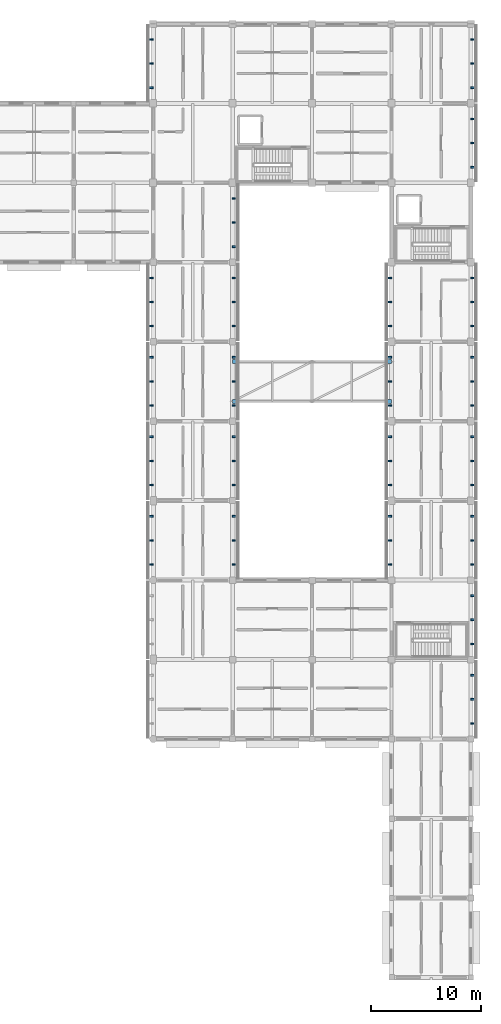
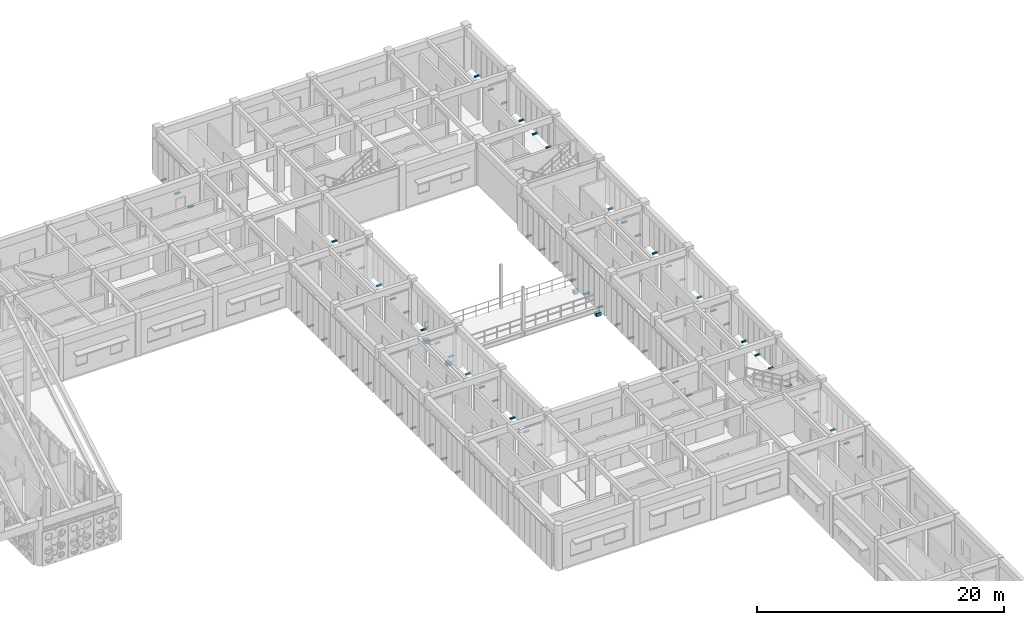
# One storey, part 146 of 171: 70 discrete accessories.
"""IFC4 building model written with IfcOpenShell, lengths in metres."""

from ifc_helpers import new_model, si_unit, direction, frame, origin, origin_2d, place, context, subcontext, project, spatial, rectangle, extrude, material, type_object, element, save


model = new_model("IFC4")

# Units and contexts
model_context = context("Model", 3, precision=1e-05, world=origin(), true_north=direction((0.0, 1.0)))
body_context = subcontext(model_context, "Body", "Model", "MODEL_VIEW")
ifc_project = project(units=[si_unit("LENGTHUNIT", "METRE"), si_unit("AREAUNIT", "SQUARE_METRE"), si_unit("VOLUMEUNIT", "CUBIC_METRE"), si_unit("PLANEANGLEUNIT", "RADIAN"), si_unit("MASSUNIT", "GRAM", prefix="KILO")], contexts=[model_context])

# Site, building, storey
site_placement = place(None, origin())
site = spatial("IfcSite", under=ifc_project, at=site_placement, CompositionType="ELEMENT")
building_placement = place(site_placement, origin())
building = spatial("IfcBuilding", under=site, at=building_placement, Name="Aldebral Square Health Centre", CompositionType="ELEMENT")
storey_placement = place(building_placement, frame((0.0, 0.0, 4.5)))
storey = spatial("IfcBuildingStorey", under=building, at=storey_placement, Name="L01", CompositionType="ELEMENT", Elevation=4.5)

# Discrete accessories
ifc_material_1 = material(Name="Steel S355JR", Category="steel")
discrete_accessory_type_1 = type_object("IfcDiscreteAccessoryType", Name="ACC-BRK-1", PredefinedType="BRACKET", material=ifc_material_1)
for number, where, z_axis, x_axis, name in (
    (1, (136.570068359375, 70.583984375, -0.009765625), (0.0, 0.0, 1.0), (0.0, 1.0, 0.0), "L01 finned curtain-wall bracket L01-V5-19-09-W.1"),
    (2, (136.570068359375, 68.39990234375, -0.009765625), (0.0, 0.0, 1.0), (0.0, 1.0, 0.0), "L01 finned curtain-wall bracket L01-V5-19-09-W.2"),
    (3, (136.570068359375, 66.216064453125, -0.009765625), (0.0, 0.0, 1.0), (0.0, 1.0, 0.0), "L01 finned curtain-wall bracket L01-V5-19-09-W.3"),
    (4, (144.22998046875, 66.216064453125, -0.009765625), (0.0, 0.0, 1.0), (0.0, 1.0, 0.0), "L01 finned curtain-wall bracket L01-V5-19-09-E.1"),
    (5, (144.22998046875, 68.39990234375, -0.009765625), (0.0, 0.0, 1.0), (0.0, 1.0, 0.0), "L01 finned curtain-wall bracket L01-V5-19-09-E.2"),
    (6, (144.22998046875, 70.583984375, -0.009765625), (0.0, 0.0, 1.0), (0.0, 1.0, 0.0), "L01 finned curtain-wall bracket L01-V5-19-09-E.3"),
    (7, (136.570068359375, 77.783935546875, -0.009765625), (0.0, 0.0, 1.0), (0.0, 1.0, 0.0), "L01 finned curtain-wall bracket L01-V5-19-10-W.1"),
    (8, (136.570068359375, 75.60009765625, -0.009765625), (0.0, 0.0, 1.0), (0.0, 1.0, 0.0), "L01 finned curtain-wall bracket L01-V5-19-10-W.2"),
    (9, (136.570068359375, 73.416015625, -0.009765625), (0.0, 0.0, 1.0), (0.0, 1.0, 0.0), "L01 finned curtain-wall bracket L01-V5-19-10-W.3"),
    (10, (144.22998046875, 73.416015625, -0.009765625), (0.0, 0.0, 1.0), (0.0, 1.0, 0.0), "L01 finned curtain-wall bracket L01-V5-19-10-E.1"),
    (11, (144.22998046875, 75.60009765625, -0.009765625), (0.0, 0.0, 1.0), (0.0, 1.0, 0.0), "L01 finned curtain-wall bracket L01-V5-19-10-E.2"),
    (12, (144.22998046875, 77.783935546875, -0.009765625), (0.0, 0.0, 1.0), (0.0, 1.0, 0.0), "L01 finned curtain-wall bracket L01-V5-19-10-E.3"),
    (13, (136.570068359375, 84.98388671875, -0.009765625), (0.0, 0.0, 1.0), (0.0, 1.0, 0.0), "L01 finned curtain-wall bracket L01-V5-19-11-W.1"),
    (14, (136.570068359375, 82.800048828125, -0.009765625), (0.0, 0.0, 1.0), (0.0, 1.0, 0.0), "L01 finned curtain-wall bracket L01-V5-19-11-W.2"),
    (15, (136.570068359375, 80.615966796875, -0.009765625), (0.0, 0.0, 1.0), (0.0, 1.0, 0.0), "L01 finned curtain-wall bracket L01-V5-19-11-W.3"),
    (16, (144.22998046875, 80.615966796875, -0.009765625), (0.0, 0.0, 1.0), (0.0, 1.0, 0.0), "L01 finned curtain-wall bracket L01-V5-19-11-E.1"),
    (17, (144.22998046875, 82.800048828125, -0.009765625), (0.0, 0.0, 1.0), (0.0, 1.0, 0.0), "L01 finned curtain-wall bracket L01-V5-19-11-E.2"),
    (18, (144.22998046875, 84.98388671875, -0.009765625), (0.0, 0.0, 1.0), (0.0, 1.0, 0.0), "L01 finned curtain-wall bracket L01-V5-19-11-E.3"),
    (19, (136.570068359375, 92.18408203125, -0.009765625), (0.0, 0.0, 1.0), (0.0, 1.0, 0.0), "L01 finned curtain-wall bracket L01-V5-19-12-W.1"),
    (20, (136.570068359375, 90.0, -0.009765625), (0.0, 0.0, 1.0), (0.0, 1.0, 0.0), "L01 finned curtain-wall bracket L01-V5-19-12-W.2"),
    (21, (136.570068359375, 87.81591796875, -0.009765625), (0.0, 0.0, 1.0), (0.0, 1.0, 0.0), "L01 finned curtain-wall bracket L01-V5-19-12-W.3"),
    (22, (144.22998046875, 87.81591796875, -0.009765625), (0.0, 0.0, 1.0), (0.0, 1.0, 0.0), "L01 finned curtain-wall bracket L01-V5-19-12-E.1"),
    (23, (144.22998046875, 90.0, -0.009765625), (0.0, 0.0, 1.0), (0.0, 1.0, 0.0), "L01 finned curtain-wall bracket L01-V5-19-12-E.2"),
    (24, (144.22998046875, 92.18408203125, -0.009765625), (0.0, 0.0, 1.0), (0.0, 1.0, 0.0), "L01 finned curtain-wall bracket L01-V5-19-12-E.3"),
    (25, (144.22998046875, 95.01611328125, -0.009765625), (0.0, 0.0, 1.0), (0.0, 1.0, 0.0), "L01 finned curtain-wall bracket L01-V5-19-13-E.1"),
    (26, (144.22998046875, 97.199951171875, -0.009765625), (0.0, 0.0, 1.0), (0.0, 1.0, 0.0), "L01 finned curtain-wall bracket L01-V5-19-13-E.2"),
    (27, (144.22998046875, 99.384033203125, -0.009765625), (0.0, 0.0, 1.0), (0.0, 1.0, 0.0), "L01 finned curtain-wall bracket L01-V5-19-13-E.3"),
    (28, (136.570068359375, 113.783935546875, -0.009765625), (0.0, 0.0, 1.0), (0.0, 1.0, 0.0), "L01 finned curtain-wall bracket L01-V5-19-15-W.1"),
    (29, (136.570068359375, 111.60009765625, -0.009765625), (0.0, 0.0, 1.0), (0.0, 1.0, 0.0), "L01 finned curtain-wall bracket L01-V5-19-15-W.2"),
    (30, (136.570068359375, 109.416015625, -0.009765625), (0.0, 0.0, 1.0), (0.0, 1.0, 0.0), "L01 finned curtain-wall bracket L01-V5-19-15-W.3"),
    (31, (165.830078125, 51.81591796875, -0.009765625), (0.0, 0.0, 1.0), (0.0, 1.0, 0.0), "L01 finned curtain-wall bracket L01-V5-22-07-E.1"),
    (32, (165.830078125, 54.0, -0.009765625), (0.0, 0.0, 1.0), (0.0, 1.0, 0.0), "L01 finned curtain-wall bracket L01-V5-22-07-E.2"),
    (33, (165.830078125, 56.18408203125, -0.009765625), (0.0, 0.0, 1.0), (0.0, 1.0, 0.0), "L01 finned curtain-wall bracket L01-V5-22-07-E.3"),
    (34, (165.830078125, 59.01611328125, -0.009765625), (0.0, 0.0, 1.0), (0.0, 1.0, 0.0), "L01 finned curtain-wall bracket L01-V5-22-08-E.1"),
    (35, (165.830078125, 61.199951171875, -0.009765625), (0.0, 0.0, 1.0), (0.0, 1.0, 0.0), "L01 finned curtain-wall bracket L01-V5-22-08-E.2"),
    (36, (165.830078125, 63.384033203125, -0.009765625), (0.0, 0.0, 1.0), (0.0, 1.0, 0.0), "L01 finned curtain-wall bracket L01-V5-22-08-E.3"),
    (37, (158.169921875, 70.583984375, -0.009765625), (0.0, 0.0, 1.0), (0.0, 1.0, 0.0), "L01 finned curtain-wall bracket L01-V5-22-09-W.1"),
    (38, (158.169921875, 68.39990234375, -0.009765625), (0.0, 0.0, 1.0), (0.0, 1.0, 0.0), "L01 finned curtain-wall bracket L01-V5-22-09-W.2"),
    (39, (158.169921875, 66.216064453125, -0.009765625), (0.0, 0.0, 1.0), (0.0, 1.0, 0.0), "L01 finned curtain-wall bracket L01-V5-22-09-W.3"),
    (40, (165.830078125, 66.216064453125, -0.009765625), (0.0, 0.0, 1.0), (0.0, 1.0, 0.0), "L01 finned curtain-wall bracket L01-V5-22-09-E.1"),
    (41, (165.830078125, 68.39990234375, -0.009765625), (0.0, 0.0, 1.0), (0.0, 1.0, 0.0), "L01 finned curtain-wall bracket L01-V5-22-09-E.2"),
    (42, (165.830078125, 70.583984375, -0.009765625), (0.0, 0.0, 1.0), (0.0, 1.0, 0.0), "L01 finned curtain-wall bracket L01-V5-22-09-E.3"),
    (43, (158.169921875, 77.783935546875, -0.009765625), (0.0, 0.0, 1.0), (0.0, 1.0, 0.0), "L01 finned curtain-wall bracket L01-V5-22-10-W.1"),
    (44, (158.169921875, 75.60009765625, -0.009765625), (0.0, 0.0, 1.0), (0.0, 1.0, 0.0), "L01 finned curtain-wall bracket L01-V5-22-10-W.2"),
    (45, (158.169921875, 73.416015625, -0.009765625), (0.0, 0.0, 1.0), (0.0, 1.0, 0.0), "L01 finned curtain-wall bracket L01-V5-22-10-W.3"),
    (46, (165.830078125, 73.416015625, -0.009765625), (0.0, 0.0, 1.0), (0.0, 1.0, 0.0), "L01 finned curtain-wall bracket L01-V5-22-10-E.1"),
    (47, (165.830078125, 75.60009765625, -0.009765625), (0.0, 0.0, 1.0), (0.0, 1.0, 0.0), "L01 finned curtain-wall bracket L01-V5-22-10-E.2"),
    (48, (165.830078125, 77.783935546875, -0.009765625), (0.0, 0.0, 1.0), (0.0, 1.0, 0.0), "L01 finned curtain-wall bracket L01-V5-22-10-E.3"),
    (49, (158.169921875, 84.98388671875, -0.009765625), (0.0, 0.0, 1.0), (0.0, 1.0, 0.0), "L01 finned curtain-wall bracket L01-V5-22-11-W.1"),
    (50, (158.169921875, 82.800048828125, -0.009765625), (0.0, 0.0, 1.0), (0.0, 1.0, 0.0), "L01 finned curtain-wall bracket L01-V5-22-11-W.2"),
    (51, (158.169921875, 80.615966796875, -0.009765625), (0.0, 0.0, 1.0), (0.0, 1.0, 0.0), "L01 finned curtain-wall bracket L01-V5-22-11-W.3"),
    (52, (165.830078125, 80.615966796875, -0.009765625), (0.0, 0.0, 1.0), (0.0, 1.0, 0.0), "L01 finned curtain-wall bracket L01-V5-22-11-E.1"),
    (53, (165.830078125, 82.800048828125, -0.009765625), (0.0, 0.0, 1.0), (0.0, 1.0, 0.0), "L01 finned curtain-wall bracket L01-V5-22-11-E.2"),
    (54, (165.830078125, 84.98388671875, -0.009765625), (0.0, 0.0, 1.0), (0.0, 1.0, 0.0), "L01 finned curtain-wall bracket L01-V5-22-11-E.3"),
    (55, (158.169921875, 92.18408203125, -0.009765625), (0.0, 0.0, 1.0), (0.0, 1.0, 0.0), "L01 finned curtain-wall bracket L01-V5-22-12-W.1"),
    (56, (158.169921875, 90.0, -0.009765625), (0.0, 0.0, 1.0), (0.0, 1.0, 0.0), "L01 finned curtain-wall bracket L01-V5-22-12-W.2"),
    (57, (158.169921875, 87.81591796875, -0.009765625), (0.0, 0.0, 1.0), (0.0, 1.0, 0.0), "L01 finned curtain-wall bracket L01-V5-22-12-W.3"),
    (58, (165.830078125, 87.81591796875, -0.009765625), (0.0, 0.0, 1.0), (0.0, 1.0, 0.0), "L01 finned curtain-wall bracket L01-V5-22-12-E.1"),
    (59, (165.830078125, 90.0, -0.009765625), (0.0, 0.0, 1.0), (0.0, 1.0, 0.0), "L01 finned curtain-wall bracket L01-V5-22-12-E.2"),
    (60, (165.830078125, 92.18408203125, -0.009765625), (0.0, 0.0, 1.0), (0.0, 1.0, 0.0), "L01 finned curtain-wall bracket L01-V5-22-12-E.3"),
    (61, (165.830078125, 102.216064453125, -0.009765625), (0.0, 0.0, 1.0), (0.0, 1.0, 0.0), "L01 finned curtain-wall bracket L01-V5-22-14-E.1"),
    (62, (165.830078125, 104.39990234375, -0.009765625), (0.0, 0.0, 1.0), (0.0, 1.0, 0.0), "L01 finned curtain-wall bracket L01-V5-22-14-E.2"),
    (63, (165.830078125, 106.583984375, -0.009765625), (0.0, 0.0, 1.0), (0.0, 1.0, 0.0), "L01 finned curtain-wall bracket L01-V5-22-14-E.3"),
    (64, (165.830078125, 109.416015625, -0.009765625), (0.0, 0.0, 1.0), (0.0, 1.0, 0.0), "L01 finned curtain-wall bracket L01-V5-22-15-E.1"),
    (65, (165.830078125, 111.60009765625, -0.009765625), (0.0, 0.0, 1.0), (0.0, 1.0, 0.0), "L01 finned curtain-wall bracket L01-V5-22-15-E.2"),
    (66, (165.830078125, 113.783935546875, -0.009765625), (0.0, 0.0, 1.0), (0.0, 1.0, 0.0), "L01 finned curtain-wall bracket L01-V5-22-15-E.3"),
):
    element("IfcDiscreteAccessory", number, at=place(storey_placement, frame(where, z_axis=z_axis, x_axis=x_axis)), inside=storey, type_object=discrete_accessory_type_1, Name=name, PredefinedType="BRACKET", context=body_context, shape_type="SweptSolid", body=[
        extrude(rectangle(XDim=0.159912109375, YDim=0.52001953125, at=origin_2d()), origin(), (0.0, 0.0, 1.0), 0.139892578125),
    ])
ifc_material_2 = material(Name="Concrete C40/50", Category="concrete")
discrete_accessory_type_2 = type_object("IfcDiscreteAccessoryType", Name="ACC-COR-1", PredefinedType="BRACKET", material=ifc_material_2)
for number, where, z_axis, x_axis, name in (
    (67, (144.22509765625, 81.0, -1.02001953125), (0.0, 0.0, 1.0), (1.0, 0.0, 0.0), "East Light Court Bridge L01 450mm sliding bearing corbel seat S1-W"),
    (68, (158.175048828125, 81.0, -1.02001953125), (0.0, 0.0, 1.0), (1.0, 0.0, 0.0), "East Light Court Bridge L01 450mm sliding bearing corbel seat S1-E"),
    (69, (144.22509765625, 84.60009765625, -1.02001953125), (0.0, 0.0, 1.0), (1.0, 0.0, 0.0), "East Light Court Bridge L01 450mm sliding bearing corbel seat S2-W"),
    (70, (158.175048828125, 84.60009765625, -1.02001953125), (0.0, 0.0, 1.0), (1.0, 0.0, 0.0), "East Light Court Bridge L01 450mm sliding bearing corbel seat S2-E"),
):
    element("IfcDiscreteAccessory", number, at=place(storey_placement, frame(where, z_axis=z_axis, x_axis=x_axis)), inside=storey, type_object=discrete_accessory_type_2, Name=name, PredefinedType="BRACKET", context=body_context, shape_type="SweptSolid", body=[
        extrude(rectangle(XDim=0.449951171875, YDim=0.360107421875, at=origin_2d()), origin(), (0.0, 0.0, 1.0), 0.35009765625),
    ])

save(model, "model.ifc")
